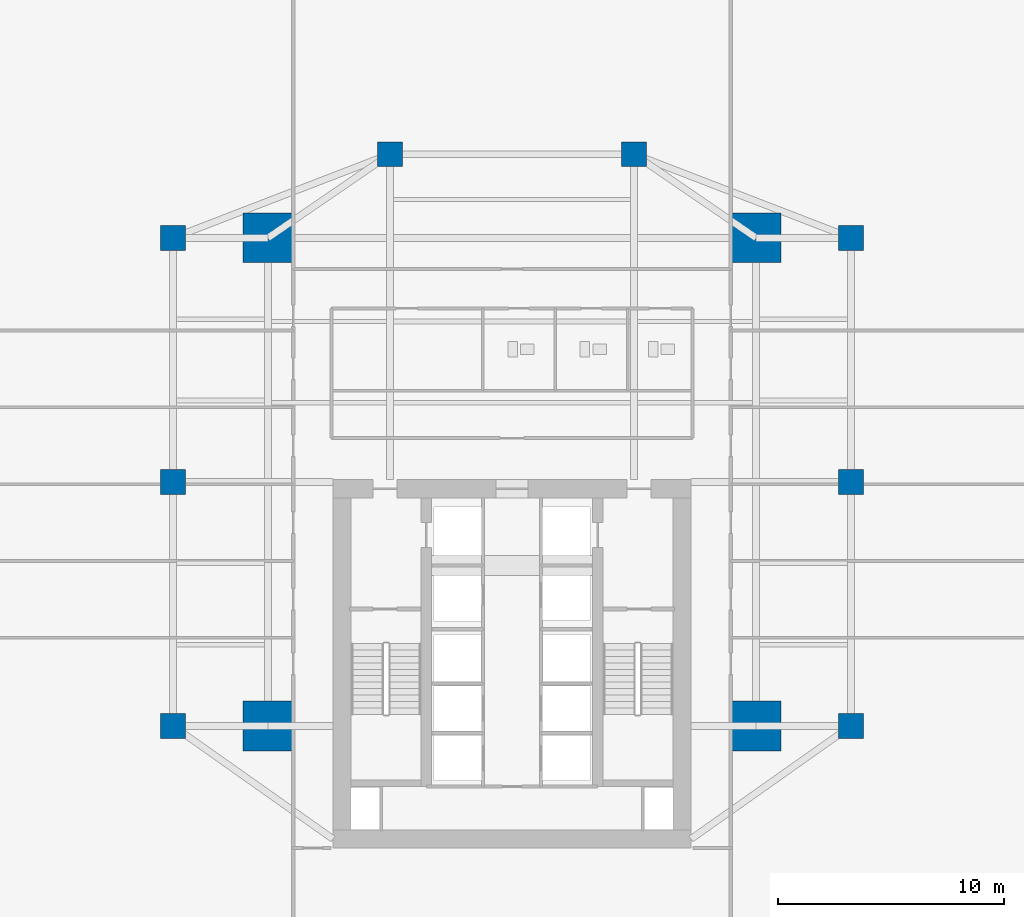
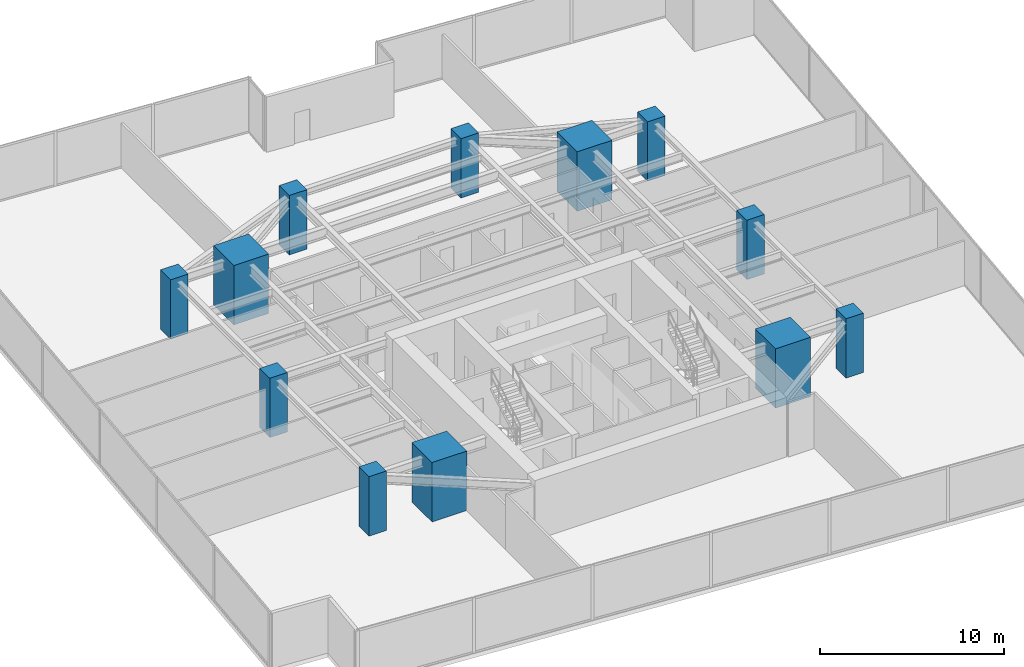
# One storey, part 1 of 30: 12 columns.
"""IFC4 building model written with IfcOpenShell, lengths in metres."""

from ifc_helpers import new_model, si_unit, direction, frame, origin, origin_2d, place, context, subcontext, project, spatial, rectangle, extrude, source, transform, mapped, material, material_profile, profile_set, type_object, type_shapes, element, save


model = new_model("IFC4")

# Units and contexts
model_context = context("Model", 3, precision=1e-05, world=origin(), true_north=direction((0.0, 1.0)))
body_context = subcontext(model_context, "Body", "Model", "MODEL_VIEW")
ifc_project = project(units=[si_unit("LENGTHUNIT", "METRE"), si_unit("AREAUNIT", "SQUARE_METRE"), si_unit("VOLUMEUNIT", "CUBIC_METRE"), si_unit("PLANEANGLEUNIT", "RADIAN"), si_unit("MASSUNIT", "GRAM", prefix="KILO")], contexts=[model_context])

# Site, building, storey
site_placement = place(None, origin())
site = spatial("IfcSite", under=ifc_project, at=site_placement, CompositionType="ELEMENT")
building_placement = place(site_placement, origin())
building = spatial("IfcBuilding", under=site, at=building_placement, Name="Krantzveldt Concourse Tower", CompositionType="ELEMENT")
storey_placement = place(building_placement, frame((0.0, 0.0, 52.64990234375)))
storey = spatial("IfcBuildingStorey", under=building, at=storey_placement, Name="L12", CompositionType="ELEMENT", Elevation=52.64990234375)

# Columns
ifc_material = material(Name="Concrete C60/75", Category="concrete")
ifc_material_profile_1 = material_profile(ifc_material, rectangle(XDim=2.199951171875, YDim=2.199951171875, at=origin_2d()), Name="Concrete C60/75", Category="concrete")
ifc_profile_set_1 = profile_set([ifc_material_profile_1], Name="Concrete C60/75 - RC 2200x2200")
column_type_1 = type_object("IfcColumnType", Name="COL-MC-2200", PredefinedType="USERDEFINED", material=ifc_profile_set_1)
shared_shape_1 = source(origin(), body_context, "Body", "SweptSolid", [
    extrude(rectangle(XDim=2.199951171875, YDim=2.199951171875, at=origin_2d()), origin(), (0.0, 0.0, 1.0), 3.9501953125),
])
type_shapes(column_type_1, [shared_shape_1])
for number, where, z_axis, x_axis, name in (
    (1, (25.199951171875, 15.89990234375, 0.0), (0.0, 0.0, 1.0), (1.0, 0.0, 0.0), "MC-SW-L12"),
    (2, (46.800048828125, 15.89990234375, 0.0), (0.0, 0.0, 1.0), (1.0, 0.0, 0.0), "MC-SE-L12"),
    (3, (46.800048828125, 37.5, 0.0), (0.0, 0.0, 1.0), (1.0, 0.0, 0.0), "MC-NE-L12"),
    (4, (25.199951171875, 37.5, 0.0), (0.0, 0.0, 1.0), (1.0, 0.0, 0.0), "MC-NW-L12"),
):
    element("IfcColumn", number, at=place(storey_placement, frame(where, z_axis=z_axis, x_axis=x_axis)), inside=storey, type_object=column_type_1, Name=name, ObjectType="MEGA COLUMN", PredefinedType="USERDEFINED", context=body_context, shape_type="MappedRepresentation", body=[
        mapped(shared_shape_1, transform((0.0, 0.0, 0.0), x_axis=(1.0, 0.0, 0.0), y_axis=(0.0, 1.0, 0.0), z_axis=(0.0, 0.0, 1.0), scale=1.0)),
    ])
ifc_material_profile_2 = material_profile(ifc_material, rectangle(XDim=1.10009765625, YDim=1.10009765625, at=origin_2d()), Name="Concrete C60/75", Category="concrete")
ifc_profile_set_2 = profile_set([ifc_material_profile_2], Name="Concrete C60/75 - RC 1100x1100")
column_type_2 = type_object("IfcColumnType", Name="COL-C-Z1", PredefinedType="COLUMN", material=ifc_profile_set_2)
shared_shape_2 = source(origin(), body_context, "Body", "SweptSolid", [
    extrude(rectangle(XDim=1.10009765625, YDim=1.10009765625, at=origin_2d()), origin(), (0.0, 0.0, 1.0), 3.9501953125),
])
type_shapes(column_type_2, [shared_shape_2])
for number, where, z_axis, x_axis, name in (
    (5, (21.0, 15.89990234375, 0.0), (0.0, 0.0, 1.0), (1.0, 0.0, 0.0), "PC-R01-L12"),
    (6, (21.0, 26.699951171875, 0.0), (0.0, 0.0, 1.0), (1.0, 0.0, 0.0), "PC-R02-L12"),
    (7, (21.0, 37.5, 0.0), (0.0, 0.0, 1.0), (1.0, 0.0, 0.0), "PC-R03-L12"),
    (8, (30.60009765625, 41.199951171875, 0.0), (0.0, 0.0, 1.0), (1.0, 0.0, 0.0), "PC-R04-L12"),
    (9, (41.39990234375, 41.199951171875, 0.0), (0.0, 0.0, 1.0), (1.0, 0.0, 0.0), "PC-R05-L12"),
    (10, (51.0, 37.5, 0.0), (0.0, 0.0, 1.0), (1.0, 0.0, 0.0), "PC-R06-L12"),
    (11, (51.0, 26.699951171875, 0.0), (0.0, 0.0, 1.0), (1.0, 0.0, 0.0), "PC-R07-L12"),
    (12, (51.0, 15.89990234375, 0.0), (0.0, 0.0, 1.0), (1.0, 0.0, 0.0), "PC-R08-L12"),
):
    element("IfcColumn", number, at=place(storey_placement, frame(where, z_axis=z_axis, x_axis=x_axis)), inside=storey, type_object=column_type_2, Name=name, PredefinedType="COLUMN", context=body_context, shape_type="MappedRepresentation", body=[
        mapped(shared_shape_2, transform((0.0, 0.0, 0.0), x_axis=(1.0, 0.0, 0.0), y_axis=(0.0, 1.0, 0.0), z_axis=(0.0, 0.0, 1.0), scale=1.0)),
    ])

save(model, "model.ifc")
